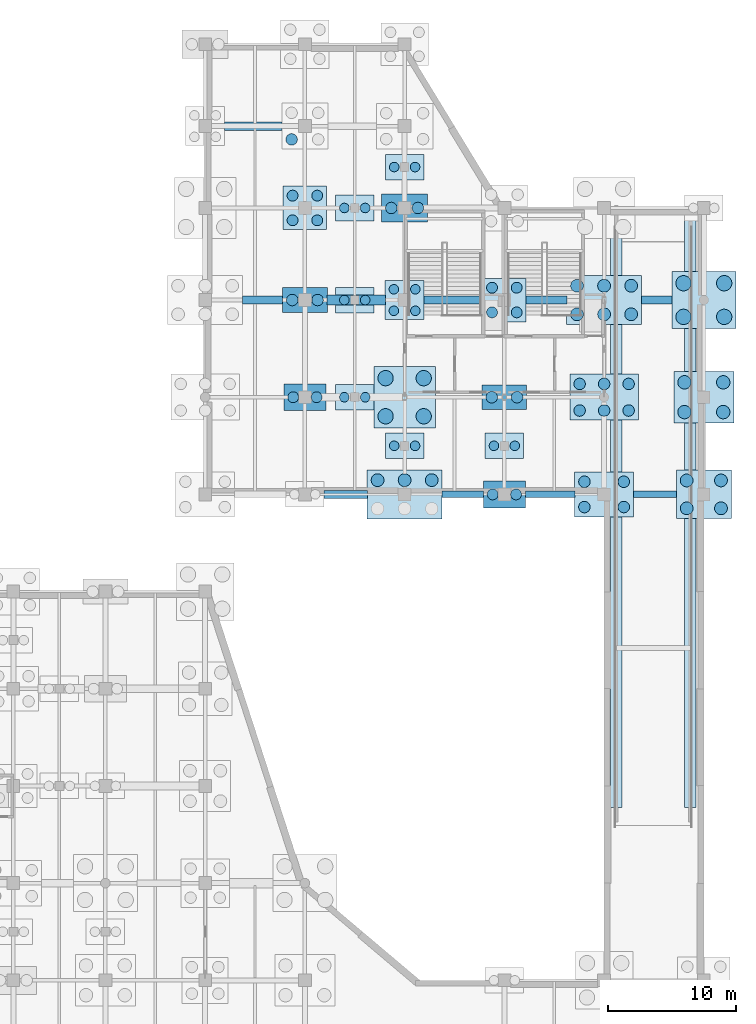
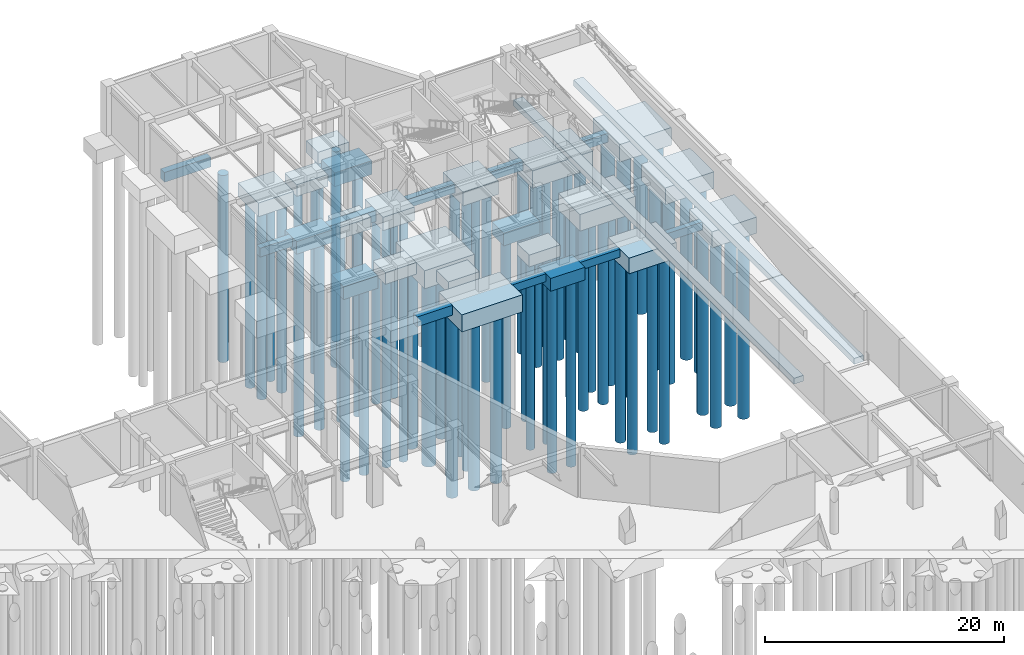
# One storey, part 12 of 52: 70 piles, 34 footings.
"""IFC4 building model written with IfcOpenShell, lengths in metres."""

from ifc_helpers import new_model, si_unit, direction, frame, origin, origin_2d, place, context, subcontext, project, spatial, rectangle, circle, extrude, material, material_profile, profile_set, type_object, element, save


model = new_model("IFC4")

# Units and contexts
model_context = context("Model", 3, precision=1e-05, world=origin(), true_north=direction((0.0, 1.0)))
body_context = subcontext(model_context, "Body", "Model", "MODEL_VIEW")
ifc_project = project(units=[si_unit("LENGTHUNIT", "METRE"), si_unit("AREAUNIT", "SQUARE_METRE"), si_unit("VOLUMEUNIT", "CUBIC_METRE"), si_unit("PLANEANGLEUNIT", "RADIAN"), si_unit("MASSUNIT", "GRAM", prefix="KILO")], contexts=[model_context])

# Site, building, storey
site_placement = place(None, origin())
site = spatial("IfcSite", under=ifc_project, at=site_placement, CompositionType="ELEMENT")
building_placement = place(site_placement, origin())
building = spatial("IfcBuilding", under=site, at=building_placement, Name="Xicomal Pleat Aquarium", CompositionType="ELEMENT")
storey_placement = place(building_placement, frame((0.0, 0.0, -5.39990234375)))
storey = spatial("IfcBuildingStorey", under=building, at=storey_placement, Name="B1", CompositionType="ELEMENT", Elevation=-5.39990234375)

# Footings
ifc_material_1 = material(Name="Concrete C40/50", Category="concrete")
ifc_material_profile_1 = material_profile(ifc_material_1, rectangle(XDim=0.5, YDim=0.800048828125, at=origin_2d()), Name="FB-01 500x800")
ifc_profile_set_1 = profile_set([ifc_material_profile_1], Name="Concrete C40/50")
footing_type_1 = type_object("IfcFootingType", Name="FTG-FB-500x800", PredefinedType="FOOTING_BEAM", material=ifc_profile_set_1)
footing_1_placement = place(storey_placement, frame((144.514892578125, 76.0, -1.0), z_axis=(1.0, 0.0, 0.0), x_axis=(0.0, 1.0, 0.0)))
element("IfcFooting", 1, at=footing_1_placement, inside=storey, type_object=footing_type_1, Name="Foundation tie beam 18-19/L", PredefinedType="FOOTING_BEAM", context=body_context, shape_type="SweptSolid", body=[
    extrude(rectangle(XDim=0.5, YDim=0.800048828125, at=origin_2d()), origin(), (0.0, 0.0, 1.0), 3.2451171875),
])
footing_2_placement = place(storey_placement, frame((151.0400390625, 76.0, -1.0), z_axis=(1.0, 0.0, 0.0), x_axis=(0.0, 1.0, 0.0)))
element("IfcFooting", 2, at=footing_2_placement, inside=storey, type_object=footing_type_1, Name="Foundation tie beam 19-20/L", PredefinedType="FOOTING_BEAM", context=body_context, shape_type="SweptSolid", body=[
    extrude(rectangle(XDim=0.5, YDim=0.800048828125, at=origin_2d()), origin(), (0.0, 0.0, 1.0), 3.869873046875),
])
footing_3_placement = place(storey_placement, frame((159.489990234375, 76.0, -1.0), z_axis=(1.0, 0.0, 0.0), x_axis=(0.0, 1.0, 0.0)))
element("IfcFooting", 3, at=footing_3_placement, inside=storey, type_object=footing_type_1, Name="Foundation tie beam 20-21/L", PredefinedType="FOOTING_BEAM", context=body_context, shape_type="SweptSolid", body=[
    extrude(rectangle(XDim=0.5, YDim=0.800048828125, at=origin_2d()), origin(), (0.0, 0.0, 1.0), 3.3701171875),
])
ifc_material_2 = material(Name="Concrete C40/50", Category="concrete")
ifc_material_profile_2 = material_profile(ifc_material_2, rectangle(XDim=0.60009765625, YDim=0.89990234375, at=origin_2d()), Name="FB-02 600x900")
ifc_profile_set_2 = profile_set([ifc_material_profile_2], Name="Concrete C40/50")
footing_type_2 = type_object("IfcFootingType", Name="FTG-FB-600x900", PredefinedType="FOOTING_BEAM", material=ifc_profile_set_2)
footing_4_placement = place(storey_placement, frame((128.9150390625, 91.199951171875, -1.050048828125), z_axis=(1.0, 0.0, 0.0), x_axis=(0.0, 1.0, 0.0)))
element("IfcFooting", 4, at=footing_4_placement, inside=storey, type_object=footing_type_2, Name="Foundation tie beam 16-17/N", PredefinedType="FOOTING_BEAM", context=body_context, shape_type="SweptSolid", body=[
    extrude(rectangle(XDim=0.60009765625, YDim=0.89990234375, at=origin_2d()), origin(), (0.0, 0.0, 1.0), 3.14501953125),
])
footing_5_placement = place(storey_placement, frame((143.114990234375, 91.199951171875, -1.050048828125), z_axis=(1.0, 0.0, 0.0), x_axis=(0.0, 1.0, 0.0)))
element("IfcFooting", 5, at=footing_5_placement, inside=storey, type_object=footing_type_2, Name="Foundation tie beam 18-19/N", PredefinedType="FOOTING_BEAM", context=body_context, shape_type="SweptSolid", body=[
    extrude(rectangle(XDim=0.60009765625, YDim=0.89990234375, at=origin_2d()), origin(), (0.0, 0.0, 1.0), 4.594970703125),
])
footing_6_placement = place(storey_placement, frame((151.090087890625, 91.199951171875, -1.050048828125), z_axis=(1.0, 0.0, 0.0), x_axis=(0.0, 1.0, 0.0)))
element("IfcFooting", 6, at=footing_6_placement, inside=storey, type_object=footing_type_2, Name="Foundation tie beam 19-20/N", PredefinedType="FOOTING_BEAM", context=body_context, shape_type="SweptSolid", body=[
    extrude(rectangle(XDim=0.60009765625, YDim=0.89990234375, at=origin_2d()), origin(), (0.0, 0.0, 1.0), 3.19482421875),
])
footing_7_placement = place(storey_placement, frame((160.114990234375, 91.199951171875, -1.050048828125), z_axis=(1.0, 0.0, 0.0), x_axis=(0.0, 1.0, 0.0)))
element("IfcFooting", 7, at=footing_7_placement, inside=storey, type_object=footing_type_2, Name="Foundation tie beam 20-21/N", PredefinedType="FOOTING_BEAM", context=body_context, shape_type="SweptSolid", body=[
    extrude(rectangle(XDim=0.60009765625, YDim=0.89990234375, at=origin_2d()), origin(), (0.0, 0.0, 1.0), 2.39501953125),
])
ifc_material_3 = material(Name="Concrete C40/50", Category="concrete")
ifc_material_profile_3 = material_profile(ifc_material_3, rectangle(XDim=0.64990234375, YDim=1.0, at=origin_2d()), Name="FB-03 650x1000")
ifc_profile_set_3 = profile_set([ifc_material_profile_3], Name="Concrete C40/50")
footing_type_3 = type_object("IfcFootingType", Name="FTG-FB-650x1000", PredefinedType="FOOTING_BEAM", material=ifc_profile_set_3)
footing_8_placement = place(storey_placement, frame((127.514892578125, 104.800048828125, -1.10009765625), z_axis=(1.0, 0.0, 0.0), x_axis=(0.0, 1.0, 0.0)))
element("IfcFooting", 8, at=footing_8_placement, inside=storey, type_object=footing_type_3, Name="Foundation tie beam 16-17/Q", PredefinedType="FOOTING_BEAM", context=body_context, shape_type="SweptSolid", body=[
    extrude(rectangle(XDim=0.64990234375, YDim=1.0, at=origin_2d()), origin(), (0.0, 0.0, 1.0), 4.4951171875),
])
footing_9_placement = place(storey_placement, frame((135.2900390625, 76.0, -1.10009765625), z_axis=(1.0, 0.0, 0.0), x_axis=(0.0, 1.0, 0.0)))
element("IfcFooting", 9, at=footing_9_placement, inside=storey, type_object=footing_type_3, Name="Foundation tie beam 17-18/L", PredefinedType="FOOTING_BEAM", context=body_context, shape_type="SweptSolid", body=[
    extrude(rectangle(XDim=0.64990234375, YDim=1.0, at=origin_2d()), origin(), (0.0, 0.0, 1.0), 3.39501953125),
])
ifc_material_4 = material(Name="Concrete C40/50", Category="concrete")
ifc_material_profile_4 = material_profile(ifc_material_4, rectangle(XDim=0.75, YDim=1.10009765625, at=origin_2d()), Name="FB-04 750x1100")
ifc_profile_set_4 = profile_set([ifc_material_profile_4], Name="Concrete C40/50")
footing_type_4 = type_object("IfcFootingType", Name="FTG-FB-750x1100", PredefinedType="FOOTING_BEAM", material=ifc_profile_set_4)
footing_10_placement = place(storey_placement, frame((135.5400390625, 91.199951171875, -1.150146484375), z_axis=(1.0, 0.0, 0.0), x_axis=(0.0, 1.0, 0.0)))
element("IfcFooting", 10, at=footing_10_placement, inside=storey, type_object=footing_type_4, Name="Foundation tie beam 17-18/N", PredefinedType="FOOTING_BEAM", context=body_context, shape_type="SweptSolid", body=[
    extrude(rectangle(XDim=0.75, YDim=1.10009765625, at=origin_2d()), origin(), (0.0, 0.0, 1.0), 4.544921875),
])
ifc_material_5 = material(Name="Concrete C40/50", Category="concrete")
footing_type_5 = type_object("IfcFootingType", Name="FTG-PC-3000x2000x1200", PredefinedType="PILE_CAP", material=ifc_material_5)
for number, where, z_axis, x_axis, name in (
    (11, (137.699951171875, 83.60009765625, -1.80029296875), (0.0, 0.0, 1.0), (1.0, 0.0, 0.0), "Pile cap SUB-27"),
    (12, (137.699951171875, 91.199951171875, -1.80029296875), (0.0, 0.0, 1.0), (1.0, 0.0, 0.0), "Pile cap SUB-28"),
    (13, (137.699951171875, 98.39990234375, -1.80029296875), (0.0, 0.0, 1.0), (1.0, 0.0, 0.0), "Pile cap SUB-29"),
    (14, (141.60009765625, 79.800048828125, -1.80029296875), (0.0, 0.0, 1.0), (1.0, 0.0, 0.0), "Pile cap SUB-63"),
    (15, (141.60009765625, 101.60009765625, -1.80029296875), (0.0, 0.0, 1.0), (1.0, 0.0, 0.0), "Pile cap SUB-64"),
    (16, (149.39990234375, 79.800048828125, -1.80029296875), (0.0, 0.0, 1.0), (1.0, 0.0, 0.0), "Pile cap SUB-65"),
):
    element("IfcFooting", number, at=place(storey_placement, frame(where, z_axis=z_axis, x_axis=x_axis)), inside=storey, type_object=footing_type_5, Name=name, PredefinedType="PILE_CAP", context=body_context, shape_type="SweptSolid", body=[
        extrude(rectangle(XDim=3.0, YDim=2.0, at=origin_2d()), origin(), (0.0, 0.0, 1.0), 1.199951171875),
    ])
ifc_material_6 = material(Name="Concrete C40/50", Category="concrete")
footing_type_6 = type_object("IfcFootingType", Name="FTG-PC-3050x3050x1350", PredefinedType="PILE_CAP", material=ifc_material_6)
footing_11_placement = place(storey_placement, frame((141.60009765625, 91.199951171875, -1.9501953125), z_axis=(0.0, 0.0, 1.0), x_axis=(1.0, 0.0, 0.0)))
element("IfcFooting", 17, at=footing_11_placement, inside=storey, type_object=footing_type_6, Name="Pile cap 18-N", PredefinedType="PILE_CAP", context=body_context, shape_type="SweptSolid", body=[
    extrude(rectangle(XDim=3.050048828125, YDim=3.050048828125, at=origin_2d()), origin(), (0.0, 0.0, 1.0), 1.35009765625),
])
ifc_material_7 = material(Name="Concrete C40/50", Category="concrete")
footing_type_7 = type_object("IfcFootingType", Name="FTG-PC-3300x2100x1300", PredefinedType="PILE_CAP", material=ifc_material_7)
for number, where, z_axis, x_axis, name in (
    (18, (133.800048828125, 83.60009765625, -1.89990234375), (0.0, 0.0, 1.0), (1.0, 0.0, 0.0), "Pile cap 17-M"),
    (19, (149.39990234375, 76.0, -1.89990234375), (0.0, 0.0, 1.0), (1.0, 0.0, 0.0), "Pile cap 19-L"),
):
    element("IfcFooting", number, at=place(storey_placement, frame(where, z_axis=z_axis, x_axis=x_axis)), inside=storey, type_object=footing_type_7, Name=name, PredefinedType="PILE_CAP", context=body_context, shape_type="SweptSolid", body=[
        extrude(rectangle(XDim=3.300048828125, YDim=2.10009765625, at=origin_2d()), origin(), (0.0, 0.0, 1.0), 1.300048828125),
    ])
ifc_material_8 = material(Name="Concrete C40/50", Category="concrete")
footing_type_8 = type_object("IfcFootingType", Name="FTG-PC-3400x3400x1400", PredefinedType="PILE_CAP", material=ifc_material_8)
for number, where, z_axis, x_axis, name in (
    (20, (133.800048828125, 98.39990234375, -2.0), (0.0, 0.0, 1.0), (1.0, 0.0, 0.0), "Pile cap 17-P"),
    (21, (149.39990234375, 91.199951171875, -2.0), (0.0, 0.0, 1.0), (1.0, 0.0, 0.0), "Pile cap 19-N"),
):
    element("IfcFooting", number, at=place(storey_placement, frame(where, z_axis=z_axis, x_axis=x_axis)), inside=storey, type_object=footing_type_8, Name=name, PredefinedType="PILE_CAP", context=body_context, shape_type="SweptSolid", body=[
        extrude(rectangle(XDim=3.39990234375, YDim=3.39990234375, at=origin_2d()), origin(), (0.0, 0.0, 1.0), 1.39990234375),
    ])
ifc_material_9 = material(Name="Concrete C40/50", Category="concrete")
footing_type_9 = type_object("IfcFootingType", Name="FTG-PC-3500x1950x1300", PredefinedType="PILE_CAP", material=ifc_material_9)
for number, where, z_axis, x_axis, name in (
    (22, (133.800048828125, 91.199951171875, -1.89990234375), (0.0, 0.0, 1.0), (1.0, 0.0, 0.0), "Pile cap 17-N"),
    (23, (149.39990234375, 83.60009765625, -1.89990234375), (0.0, 0.0, 1.0), (1.0, 0.0, 0.0), "Pile cap 19-M"),
):
    element("IfcFooting", number, at=place(storey_placement, frame(where, z_axis=z_axis, x_axis=x_axis)), inside=storey, type_object=footing_type_9, Name=name, PredefinedType="PILE_CAP", context=body_context, shape_type="SweptSolid", body=[
        extrude(rectangle(XDim=3.5, YDim=1.949951171875, at=origin_2d()), origin(), (0.0, 0.0, 1.0), 1.300048828125),
    ])
ifc_material_10 = material(Name="Concrete C40/50", Category="concrete")
footing_type_10 = type_object("IfcFootingType", Name="FTG-PC-3600x2200x1400", PredefinedType="PILE_CAP", material=ifc_material_10)
footing_12_placement = place(storey_placement, frame((141.60009765625, 98.39990234375, -2.0), z_axis=(0.0, 0.0, 1.0), x_axis=(1.0, 0.0, 0.0)))
element("IfcFooting", 24, at=footing_12_placement, inside=storey, type_object=footing_type_10, Name="Pile cap 18-P", PredefinedType="PILE_CAP", context=body_context, shape_type="SweptSolid", body=[
    extrude(rectangle(XDim=3.60009765625, YDim=2.199951171875, at=origin_2d()), origin(), (0.0, 0.0, 1.0), 1.39990234375),
])
ifc_material_11 = material(Name="Concrete C40/50", Category="concrete")
footing_type_11 = type_object("IfcFootingType", Name="FTG-PC-4300x3800x1650", PredefinedType="PILE_CAP", material=ifc_material_11)
footing_13_placement = place(storey_placement, frame((165.0, 76.0, -2.25), z_axis=(0.0, 0.0, 1.0), x_axis=(1.0, 0.0, 0.0)))
element("IfcFooting", 25, at=footing_13_placement, inside=storey, type_object=footing_type_11, Name="Pile cap 21-L", PredefinedType="PILE_CAP", context=body_context, shape_type="SweptSolid", body=[
    extrude(rectangle(XDim=4.300048828125, YDim=3.800048828125, at=origin_2d()), origin(), (0.0, 0.0, 1.0), 1.64990234375),
])
ifc_material_12 = material(Name="Concrete C40/50", Category="concrete")
footing_type_12 = type_object("IfcFootingType", Name="FTG-PC-4600x3500x1600", PredefinedType="PILE_CAP", material=ifc_material_12)
footing_14_placement = place(storey_placement, frame((157.199951171875, 76.0, -2.2001953125), z_axis=(0.0, 0.0, 1.0), x_axis=(1.0, 0.0, 0.0)))
element("IfcFooting", 26, at=footing_14_placement, inside=storey, type_object=footing_type_12, Name="Pile cap 20-L", PredefinedType="PILE_CAP", context=body_context, shape_type="SweptSolid", body=[
    extrude(rectangle(XDim=4.60009765625, YDim=3.5, at=origin_2d()), origin(), (0.0, 0.0, 1.0), 1.60009765625),
])
ifc_material_13 = material(Name="Concrete C40/50", Category="concrete")
footing_type_13 = type_object("IfcFootingType", Name="FTG-PC-4700x4000x1700", PredefinedType="PILE_CAP", material=ifc_material_13)
footing_15_placement = place(storey_placement, frame((165.0, 83.60009765625, -2.30029296875), z_axis=(0.0, 0.0, 1.0), x_axis=(1.0, 0.0, 0.0)))
element("IfcFooting", 27, at=footing_15_placement, inside=storey, type_object=footing_type_13, Name="Pile cap 21-M", PredefinedType="PILE_CAP", context=body_context, shape_type="SweptSolid", body=[
    extrude(rectangle(XDim=4.699951171875, YDim=4.0, at=origin_2d()), origin(), (0.0, 0.0, 1.0), 1.699951171875),
])
ifc_material_14 = material(Name="Concrete C40/50", Category="concrete")
footing_type_14 = type_object("IfcFootingType", Name="FTG-PC-4800x4800x1850", PredefinedType="PILE_CAP", material=ifc_material_14)
footing_16_placement = place(storey_placement, frame((141.60009765625, 83.60009765625, -2.4501953125), z_axis=(0.0, 0.0, 1.0), x_axis=(1.0, 0.0, 0.0)))
element("IfcFooting", 28, at=footing_16_placement, inside=storey, type_object=footing_type_14, Name="Pile cap 18-M", PredefinedType="PILE_CAP", context=body_context, shape_type="SweptSolid", body=[
    extrude(rectangle(XDim=4.800048828125, YDim=4.800048828125, at=origin_2d()), origin(), (0.0, 0.0, 1.0), 1.85009765625),
])
ifc_material_15 = material(Name="Concrete C40/50", Category="concrete")
footing_type_15 = type_object("IfcFootingType", Name="FTG-PC-5000x4450x1800", PredefinedType="PILE_CAP", material=ifc_material_15)
footing_17_placement = place(storey_placement, frame((165.0, 91.199951171875, -2.39990234375), z_axis=(0.0, 0.0, 1.0), x_axis=(1.0, 0.0, 0.0)))
element("IfcFooting", 29, at=footing_17_placement, inside=storey, type_object=footing_type_15, Name="Pile cap 21-N", PredefinedType="PILE_CAP", context=body_context, shape_type="SweptSolid", body=[
    extrude(rectangle(XDim=5.0, YDim=4.449951171875, at=origin_2d()), origin(), (0.0, 0.0, 1.0), 1.800048828125),
])
ifc_material_16 = material(Name="Concrete C40/50", Category="concrete")
footing_type_16 = type_object("IfcFootingType", Name="FTG-PC-5350x3600x1700", PredefinedType="PILE_CAP", material=ifc_material_16)
footing_18_placement = place(storey_placement, frame((157.199951171875, 83.60009765625, -2.30029296875), z_axis=(0.0, 0.0, 1.0), x_axis=(1.0, 0.0, 0.0)))
element("IfcFooting", 30, at=footing_18_placement, inside=storey, type_object=footing_type_16, Name="Pile cap 20-M", PredefinedType="PILE_CAP", context=body_context, shape_type="SweptSolid", body=[
    extrude(rectangle(XDim=5.35009765625, YDim=3.60009765625, at=origin_2d()), origin(), (0.0, 0.0, 1.0), 1.699951171875),
])
ifc_material_17 = material(Name="Concrete C40/50", Category="concrete")
footing_type_17 = type_object("IfcFootingType", Name="FTG-PC-5850x3850x1750", PredefinedType="PILE_CAP", material=ifc_material_17)
for number, where, z_axis, x_axis, name in (
    (31, (141.60009765625, 76.0, -2.35009765625), (0.0, 0.0, 1.0), (1.0, 0.0, 0.0), "Pile cap 18-L"),
    (32, (157.199951171875, 91.199951171875, -2.35009765625), (0.0, 0.0, 1.0), (1.0, 0.0, 0.0), "Pile cap 20-N"),
):
    element("IfcFooting", number, at=place(storey_placement, frame(where, z_axis=z_axis, x_axis=x_axis)), inside=storey, type_object=footing_type_17, Name=name, PredefinedType="PILE_CAP", context=body_context, shape_type="SweptSolid", body=[
        extrude(rectangle(XDim=5.85009765625, YDim=3.85009765625, at=origin_2d()), origin(), (0.0, 0.0, 1.0), 1.75),
    ])
ifc_material_18 = material(Name="Concrete C40/50", Category="concrete")
ifc_material_profile_5 = material_profile(ifc_material_18, rectangle(XDim=0.89990234375, YDim=0.60009765625, at=origin_2d()), Name="SF-01 900x600")
ifc_profile_set_5 = profile_set([ifc_material_profile_5], Name="Concrete C40/50")
footing_type_18 = type_object("IfcFootingType", Name="FTG-SF-900x600", PredefinedType="STRIP_FOOTING", material=ifc_profile_set_5)
for number, where, z_axis, x_axis, name in (
    (33, (158.14990234375, 51.5, -0.35009765625), (0.0, 1.0, 0.0), (-1.0, 0.0, 0.0), "Vehicle ramp strip footing W"),
    (34, (163.949951171875, 51.5, -0.35009765625), (0.0, 1.0, 0.0), (-1.0, 0.0, 0.0), "Vehicle ramp strip footing E"),
):
    element("IfcFooting", number, at=place(storey_placement, frame(where, z_axis=z_axis, x_axis=x_axis)), inside=storey, type_object=footing_type_18, Name=name, PredefinedType="STRIP_FOOTING", context=body_context, shape_type="SweptSolid", body=[
        extrude(rectangle(XDim=0.89990234375, YDim=0.60009765625, at=origin_2d()), origin(), (0.0, 0.0, 1.0), 46.89990234375),
    ])

# Piles
ifc_material_19 = material(Name="Concrete C40/50", Category="concrete")
ifc_material_profile_6 = material_profile(ifc_material_19, circle(Radius=0.5, at=origin_2d()), Name="BORED PILE D1000")
ifc_profile_set_6 = profile_set([ifc_material_profile_6], Name="Concrete C40/50")
pile_type_1 = type_object("IfcPileType", Name="PIL-B-1000", PredefinedType="BORED", material=ifc_profile_set_6)
for number, where, z_axis, x_axis, name in (
    (35, (139.485107421875, 77.114990234375, -2.25), (0.0, 0.0, -1.0), (1.0, 0.0, 0.0), "Bored pile 18-L-4"),
    (36, (141.60009765625, 77.114990234375, -2.25), (0.0, 0.0, -1.0), (1.0, 0.0, 0.0), "Bored pile 18-L-5"),
    (37, (143.715087890625, 77.114990234375, -2.25), (0.0, 0.0, -1.0), (1.0, 0.0, 0.0), "Bored pile 18-L-6"),
    (38, (155.0849609375, 90.0849609375, -2.25), (0.0, 0.0, -1.0), (1.0, 0.0, 0.0), "Bored pile 20-N-1"),
    (39, (157.199951171875, 90.0849609375, -2.25), (0.0, 0.0, -1.0), (1.0, 0.0, 0.0), "Bored pile 20-N-2"),
    (40, (159.31494140625, 90.0849609375, -2.25), (0.0, 0.0, -1.0), (1.0, 0.0, 0.0), "Bored pile 20-N-3"),
    (41, (155.0849609375, 92.31494140625, -2.25), (0.0, 0.0, -1.0), (1.0, 0.0, 0.0), "Bored pile 20-N-4"),
    (42, (157.199951171875, 92.31494140625, -2.25), (0.0, 0.0, -1.0), (1.0, 0.0, 0.0), "Bored pile 20-N-5"),
    (43, (159.31494140625, 92.31494140625, -2.25), (0.0, 0.0, -1.0), (1.0, 0.0, 0.0), "Bored pile 20-N-6"),
):
    element("IfcPile", number, at=place(storey_placement, frame(where, z_axis=z_axis, x_axis=x_axis)), inside=storey, type_object=pile_type_1, Name=name, PredefinedType="BORED", context=body_context, shape_type="SweptSolid", body=[
        extrude(circle(Radius=0.5, at=origin_2d()), origin(), (0.0, 0.0, 1.0), 18.85009765625),
    ])
for number, where, z_axis, x_axis, name in (
    (44, (163.659912109375, 74.909912109375, -2.150146484375), (0.0, 0.0, -1.0), (1.0, 0.0, 0.0), "Bored pile 21-L-1"),
    (45, (166.340087890625, 74.909912109375, -2.150146484375), (0.0, 0.0, -1.0), (1.0, 0.0, 0.0), "Bored pile 21-L-2"),
    (46, (163.659912109375, 77.090087890625, -2.150146484375), (0.0, 0.0, -1.0), (1.0, 0.0, 0.0), "Bored pile 21-L-3"),
    (47, (166.340087890625, 77.090087890625, -2.150146484375), (0.0, 0.0, -1.0), (1.0, 0.0, 0.0), "Bored pile 21-L-4"),
):
    element("IfcPile", number, at=place(storey_placement, frame(where, z_axis=z_axis, x_axis=x_axis)), inside=storey, type_object=pile_type_1, Name=name, PredefinedType="BORED", context=body_context, shape_type="SweptSolid", body=[
        extrude(circle(Radius=0.5, at=origin_2d()), origin(), (0.0, 0.0, 1.0), 18.949951171875),
    ])
ifc_material_20 = material(Name="Concrete C40/50", Category="concrete")
ifc_material_profile_7 = material_profile(ifc_material_20, circle(Radius=0.52490234375, at=origin_2d()), Name="BORED PILE D1050")
ifc_profile_set_7 = profile_set([ifc_material_profile_7], Name="Concrete C40/50")
pile_type_2 = type_object("IfcPileType", Name="PIL-B-1050", PredefinedType="BORED", material=ifc_profile_set_7)
for number, where, z_axis, x_axis, name in (
    (48, (163.485107421875, 82.43505859375, -2.2001953125), (0.0, 0.0, -1.0), (1.0, 0.0, 0.0), "Bored pile 21-M-1"),
    (49, (166.514892578125, 82.43505859375, -2.2001953125), (0.0, 0.0, -1.0), (1.0, 0.0, 0.0), "Bored pile 21-M-2"),
    (50, (163.485107421875, 84.764892578125, -2.2001953125), (0.0, 0.0, -1.0), (1.0, 0.0, 0.0), "Bored pile 21-M-3"),
    (51, (166.514892578125, 84.764892578125, -2.2001953125), (0.0, 0.0, -1.0), (1.0, 0.0, 0.0), "Bored pile 21-M-4"),
):
    element("IfcPile", number, at=place(storey_placement, frame(where, z_axis=z_axis, x_axis=x_axis)), inside=storey, type_object=pile_type_2, Name=name, PredefinedType="BORED", context=body_context, shape_type="SweptSolid", body=[
        extrude(circle(Radius=0.52490234375, at=origin_2d()), origin(), (0.0, 0.0, 1.0), 18.89990234375),
    ])
ifc_material_21 = material(Name="Concrete C40/50", Category="concrete")
ifc_material_profile_8 = material_profile(ifc_material_21, circle(Radius=0.60009765625, at=origin_2d()), Name="BORED PILE D1200")
ifc_profile_set_8 = profile_set([ifc_material_profile_8], Name="Concrete C40/50")
pile_type_3 = type_object("IfcPileType", Name="PIL-B-1200", PredefinedType="BORED", material=ifc_profile_set_8)
for number, where, z_axis, x_axis, name in (
    (52, (140.110107421875, 82.110107421875, -2.35009765625), (0.0, 0.0, -1.0), (1.0, 0.0, 0.0), "Bored pile 18-M-1"),
    (53, (143.090087890625, 82.110107421875, -2.35009765625), (0.0, 0.0, -1.0), (1.0, 0.0, 0.0), "Bored pile 18-M-2"),
    (54, (140.110107421875, 85.090087890625, -2.35009765625), (0.0, 0.0, -1.0), (1.0, 0.0, 0.0), "Bored pile 18-M-3"),
    (55, (143.090087890625, 85.090087890625, -2.35009765625), (0.0, 0.0, -1.0), (1.0, 0.0, 0.0), "Bored pile 18-M-4"),
):
    element("IfcPile", number, at=place(storey_placement, frame(where, z_axis=z_axis, x_axis=x_axis)), inside=storey, type_object=pile_type_3, Name=name, PredefinedType="BORED", context=body_context, shape_type="SweptSolid", body=[
        extrude(circle(Radius=0.60009765625, at=origin_2d()), origin(), (0.0, 0.0, 1.0), 18.75),
    ])
for number, where, z_axis, x_axis, name in (
    (56, (163.409912109375, 89.885009765625, -2.300048828125), (0.0, 0.0, -1.0), (1.0, 0.0, 0.0), "Bored pile 21-N-1"),
    (57, (166.590087890625, 89.885009765625, -2.300048828125), (0.0, 0.0, -1.0), (1.0, 0.0, 0.0), "Bored pile 21-N-2"),
    (58, (163.409912109375, 92.514892578125, -2.300048828125), (0.0, 0.0, -1.0), (1.0, 0.0, 0.0), "Bored pile 21-N-3"),
    (59, (166.590087890625, 92.514892578125, -2.300048828125), (0.0, 0.0, -1.0), (1.0, 0.0, 0.0), "Bored pile 21-N-4"),
):
    element("IfcPile", number, at=place(storey_placement, frame(where, z_axis=z_axis, x_axis=x_axis)), inside=storey, type_object=pile_type_3, Name=name, PredefinedType="BORED", context=body_context, shape_type="SweptSolid", body=[
        extrude(circle(Radius=0.60009765625, at=origin_2d()), origin(), (0.0, 0.0, 1.0), 18.800048828125),
    ])
ifc_material_22 = material(Name="Concrete C40/50", Category="concrete")
ifc_material_profile_9 = material_profile(ifc_material_22, circle(Radius=0.375, at=origin_2d()), Name="BORED PILE D750")
ifc_profile_set_9 = profile_set([ifc_material_profile_9], Name="Concrete C40/50")
pile_type_4 = type_object("IfcPileType", Name="PIL-B-750", PredefinedType="BORED", material=ifc_profile_set_9)
for number, where, z_axis, x_axis, name in (
    (60, (140.760009765625, 90.360107421875, -1.85009765625), (0.0, 0.0, -1.0), (1.0, 0.0, 0.0), "Bored pile 18-N-1"),
    (61, (142.43994140625, 90.360107421875, -1.85009765625), (0.0, 0.0, -1.0), (1.0, 0.0, 0.0), "Bored pile 18-N-2"),
    (62, (140.760009765625, 92.0400390625, -1.85009765625), (0.0, 0.0, -1.0), (1.0, 0.0, 0.0), "Bored pile 18-N-3"),
    (63, (142.43994140625, 92.0400390625, -1.85009765625), (0.0, 0.0, -1.0), (1.0, 0.0, 0.0), "Bored pile 18-N-4"),
):
    element("IfcPile", number, at=place(storey_placement, frame(where, z_axis=z_axis, x_axis=x_axis)), inside=storey, type_object=pile_type_4, Name=name, PredefinedType="BORED", context=body_context, shape_type="SweptSolid", body=[
        extrude(circle(Radius=0.375, at=origin_2d()), origin(), (0.0, 0.0, 1.0), 19.25),
    ])
for number, where, z_axis, x_axis, name in (
    (64, (136.885009765625, 83.60009765625, -1.7001953125), (0.0, 0.0, -1.0), (1.0, 0.0, 0.0), "Bored pile SUB-27-1"),
    (65, (138.514892578125, 83.60009765625, -1.7001953125), (0.0, 0.0, -1.0), (1.0, 0.0, 0.0), "Bored pile SUB-27-2"),
    (66, (136.885009765625, 91.199951171875, -1.7001953125), (0.0, 0.0, -1.0), (1.0, 0.0, 0.0), "Bored pile SUB-28-1"),
    (67, (138.514892578125, 91.199951171875, -1.7001953125), (0.0, 0.0, -1.0), (1.0, 0.0, 0.0), "Bored pile SUB-28-2"),
    (68, (136.885009765625, 98.39990234375, -1.7001953125), (0.0, 0.0, -1.0), (1.0, 0.0, 0.0), "Bored pile SUB-29-1"),
    (69, (138.514892578125, 98.39990234375, -1.7001953125), (0.0, 0.0, -1.0), (1.0, 0.0, 0.0), "Bored pile SUB-29-2"),
    (70, (140.784912109375, 79.800048828125, -1.7001953125), (0.0, 0.0, -1.0), (1.0, 0.0, 0.0), "Bored pile SUB-63-1"),
    (71, (142.4150390625, 79.800048828125, -1.7001953125), (0.0, 0.0, -1.0), (1.0, 0.0, 0.0), "Bored pile SUB-63-2"),
    (72, (140.784912109375, 101.60009765625, -1.7001953125), (0.0, 0.0, -1.0), (1.0, 0.0, 0.0), "Bored pile SUB-64-1"),
    (73, (142.4150390625, 101.60009765625, -1.7001953125), (0.0, 0.0, -1.0), (1.0, 0.0, 0.0), "Bored pile SUB-64-2"),
    (74, (148.5849609375, 79.800048828125, -1.7001953125), (0.0, 0.0, -1.0), (1.0, 0.0, 0.0), "Bored pile SUB-65-1"),
    (75, (150.215087890625, 79.800048828125, -1.7001953125), (0.0, 0.0, -1.0), (1.0, 0.0, 0.0), "Bored pile SUB-65-2"),
):
    element("IfcPile", number, at=place(storey_placement, frame(where, z_axis=z_axis, x_axis=x_axis)), inside=storey, type_object=pile_type_4, Name=name, PredefinedType="BORED", context=body_context, shape_type="SweptSolid", body=[
        extrude(circle(Radius=0.375, at=origin_2d()), origin(), (0.0, 0.0, 1.0), 19.39990234375),
    ])
ifc_material_23 = material(Name="Concrete C40/50", Category="concrete")
ifc_material_profile_10 = material_profile(ifc_material_23, circle(Radius=0.425048828125, at=origin_2d()), Name="BORED PILE D850")
ifc_profile_set_10 = profile_set([ifc_material_profile_10], Name="Concrete C40/50")
pile_type_5 = type_object("IfcPileType", Name="PIL-B-850", PredefinedType="BORED", material=ifc_profile_set_10)
for number, where, z_axis, x_axis, name in (
    (76, (132.885009765625, 83.60009765625, -1.800048828125), (0.0, 0.0, -1.0), (1.0, 0.0, 0.0), "Bored pile 17-M-1"),
    (77, (134.715087890625, 83.60009765625, -1.800048828125), (0.0, 0.0, -1.0), (1.0, 0.0, 0.0), "Bored pile 17-M-2"),
):
    element("IfcPile", number, at=place(storey_placement, frame(where, z_axis=z_axis, x_axis=x_axis)), inside=storey, type_object=pile_type_5, Name=name, PredefinedType="BORED", context=body_context, shape_type="SweptSolid", body=[
        extrude(circle(Radius=0.425048828125, at=origin_2d()), origin(), (0.0, 0.0, 1.0), 19.300048828125),
    ])
for number, where, z_axis, x_axis, name in (
    (78, (132.8349609375, 97.43505859375, -1.900146484375), (0.0, 0.0, -1.0), (1.0, 0.0, 0.0), "Bored pile 17-P-1"),
    (79, (134.764892578125, 97.43505859375, -1.900146484375), (0.0, 0.0, -1.0), (1.0, 0.0, 0.0), "Bored pile 17-P-2"),
    (80, (132.8349609375, 99.364990234375, -1.900146484375), (0.0, 0.0, -1.0), (1.0, 0.0, 0.0), "Bored pile 17-P-3"),
    (81, (134.764892578125, 99.364990234375, -1.900146484375), (0.0, 0.0, -1.0), (1.0, 0.0, 0.0), "Bored pile 17-P-4"),
):
    element("IfcPile", number, at=place(storey_placement, frame(where, z_axis=z_axis, x_axis=x_axis)), inside=storey, type_object=pile_type_5, Name=name, PredefinedType="BORED", context=body_context, shape_type="SweptSolid", body=[
        extrude(circle(Radius=0.425048828125, at=origin_2d()), origin(), (0.0, 0.0, 1.0), 19.199951171875),
    ])
for number, where, z_axis, x_axis, name in (
    (82, (148.485107421875, 76.0, -1.800048828125), (0.0, 0.0, -1.0), (1.0, 0.0, 0.0), "Bored pile 19-L-1"),
    (83, (150.31494140625, 76.0, -1.800048828125), (0.0, 0.0, -1.0), (1.0, 0.0, 0.0), "Bored pile 19-L-2"),
):
    element("IfcPile", number, at=place(storey_placement, frame(where, z_axis=z_axis, x_axis=x_axis)), inside=storey, type_object=pile_type_5, Name=name, PredefinedType="BORED", context=body_context, shape_type="SweptSolid", body=[
        extrude(circle(Radius=0.425048828125, at=origin_2d()), origin(), (0.0, 0.0, 1.0), 19.300048828125),
    ])
for number, where, z_axis, x_axis, name in (
    (84, (148.43505859375, 90.235107421875, -1.900146484375), (0.0, 0.0, -1.0), (1.0, 0.0, 0.0), "Bored pile 19-N-1"),
    (85, (150.364990234375, 90.235107421875, -1.900146484375), (0.0, 0.0, -1.0), (1.0, 0.0, 0.0), "Bored pile 19-N-2"),
    (86, (148.43505859375, 92.1650390625, -1.900146484375), (0.0, 0.0, -1.0), (1.0, 0.0, 0.0), "Bored pile 19-N-3"),
    (87, (150.364990234375, 92.1650390625, -1.900146484375), (0.0, 0.0, -1.0), (1.0, 0.0, 0.0), "Bored pile 19-N-4"),
):
    element("IfcPile", number, at=place(storey_placement, frame(where, z_axis=z_axis, x_axis=x_axis)), inside=storey, type_object=pile_type_5, Name=name, PredefinedType="BORED", context=body_context, shape_type="SweptSolid", body=[
        extrude(circle(Radius=0.425048828125, at=origin_2d()), origin(), (0.0, 0.0, 1.0), 19.199951171875),
    ])
ifc_material_24 = material(Name="Concrete C40/50", Category="concrete")
ifc_material_profile_11 = material_profile(ifc_material_24, circle(Radius=0.449951171875, at=origin_2d()), Name="BORED PILE D900")
ifc_profile_set_11 = profile_set([ifc_material_profile_11], Name="Concrete C40/50")
pile_type_6 = type_object("IfcPileType", Name="PIL-B-900", PredefinedType="BORED", material=ifc_profile_set_11)
for number, where, z_axis, x_axis, name in (
    (88, (132.81005859375, 91.199951171875, -1.800048828125), (0.0, 0.0, -1.0), (1.0, 0.0, 0.0), "Bored pile 17-N-1"),
    (89, (134.7900390625, 91.199951171875, -1.800048828125), (0.0, 0.0, -1.0), (1.0, 0.0, 0.0), "Bored pile 17-N-2"),
):
    element("IfcPile", number, at=place(storey_placement, frame(where, z_axis=z_axis, x_axis=x_axis)), inside=storey, type_object=pile_type_6, Name=name, PredefinedType="BORED", context=body_context, shape_type="SweptSolid", body=[
        extrude(circle(Radius=0.449951171875, at=origin_2d()), origin(), (0.0, 0.0, 1.0), 19.300048828125),
    ])
pile_placement = place(storey_placement, frame((132.760009765625, 103.760009765625, -2.0), z_axis=(0.0, 0.0, -1.0), x_axis=(1.0, 0.0, 0.0)))
element("IfcPile", 90, at=pile_placement, inside=storey, type_object=pile_type_6, Name="Bored pile 17-Q-1", PredefinedType="BORED", context=body_context, shape_type="SweptSolid", body=[
    extrude(circle(Radius=0.449951171875, at=origin_2d()), origin(), (0.0, 0.0, 1.0), 19.10009765625),
])
for number, where, z_axis, x_axis, name in (
    (91, (140.56005859375, 98.39990234375, -1.900146484375), (0.0, 0.0, -1.0), (1.0, 0.0, 0.0), "Bored pile 18-P-1"),
    (92, (142.639892578125, 98.39990234375, -1.900146484375), (0.0, 0.0, -1.0), (1.0, 0.0, 0.0), "Bored pile 18-P-2"),
):
    element("IfcPile", number, at=place(storey_placement, frame(where, z_axis=z_axis, x_axis=x_axis)), inside=storey, type_object=pile_type_6, Name=name, PredefinedType="BORED", context=body_context, shape_type="SweptSolid", body=[
        extrude(circle(Radius=0.449951171875, at=origin_2d()), origin(), (0.0, 0.0, 1.0), 19.199951171875),
    ])
for number, where, z_axis, x_axis, name in (
    (93, (148.409912109375, 83.60009765625, -1.800048828125), (0.0, 0.0, -1.0), (1.0, 0.0, 0.0), "Bored pile 19-M-1"),
    (94, (150.389892578125, 83.60009765625, -1.800048828125), (0.0, 0.0, -1.0), (1.0, 0.0, 0.0), "Bored pile 19-M-2"),
):
    element("IfcPile", number, at=place(storey_placement, frame(where, z_axis=z_axis, x_axis=x_axis)), inside=storey, type_object=pile_type_6, Name=name, PredefinedType="BORED", context=body_context, shape_type="SweptSolid", body=[
        extrude(circle(Radius=0.449951171875, at=origin_2d()), origin(), (0.0, 0.0, 1.0), 19.300048828125),
    ])
for number, where, z_axis, x_axis, name in (
    (95, (155.659912109375, 75.010009765625, -2.10009765625), (0.0, 0.0, -1.0), (1.0, 0.0, 0.0), "Bored pile 20-L-1"),
    (96, (158.739990234375, 75.010009765625, -2.10009765625), (0.0, 0.0, -1.0), (1.0, 0.0, 0.0), "Bored pile 20-L-2"),
    (97, (155.659912109375, 76.989990234375, -2.10009765625), (0.0, 0.0, -1.0), (1.0, 0.0, 0.0), "Bored pile 20-L-3"),
    (98, (158.739990234375, 76.989990234375, -2.10009765625), (0.0, 0.0, -1.0), (1.0, 0.0, 0.0), "Bored pile 20-L-4"),
):
    element("IfcPile", number, at=place(storey_placement, frame(where, z_axis=z_axis, x_axis=x_axis)), inside=storey, type_object=pile_type_6, Name=name, PredefinedType="BORED", context=body_context, shape_type="SweptSolid", body=[
        extrude(circle(Radius=0.449951171875, at=origin_2d()), origin(), (0.0, 0.0, 1.0), 19.0),
    ])
for number, where, z_axis, x_axis, name in (
    (99, (155.284912109375, 82.56005859375, -2.2001953125), (0.0, 0.0, -1.0), (1.0, 0.0, 0.0), "Bored pile 20-M-1"),
    (100, (157.199951171875, 82.56005859375, -2.2001953125), (0.0, 0.0, -1.0), (1.0, 0.0, 0.0), "Bored pile 20-M-2"),
    (101, (159.114990234375, 82.56005859375, -2.2001953125), (0.0, 0.0, -1.0), (1.0, 0.0, 0.0), "Bored pile 20-M-3"),
    (102, (155.284912109375, 84.639892578125, -2.2001953125), (0.0, 0.0, -1.0), (1.0, 0.0, 0.0), "Bored pile 20-M-4"),
    (103, (157.199951171875, 84.639892578125, -2.2001953125), (0.0, 0.0, -1.0), (1.0, 0.0, 0.0), "Bored pile 20-M-5"),
    (104, (159.114990234375, 84.639892578125, -2.2001953125), (0.0, 0.0, -1.0), (1.0, 0.0, 0.0), "Bored pile 20-M-6"),
):
    element("IfcPile", number, at=place(storey_placement, frame(where, z_axis=z_axis, x_axis=x_axis)), inside=storey, type_object=pile_type_6, Name=name, PredefinedType="BORED", context=body_context, shape_type="SweptSolid", body=[
        extrude(circle(Radius=0.449951171875, at=origin_2d()), origin(), (0.0, 0.0, 1.0), 18.89990234375),
    ])

save(model, "model.ifc")
